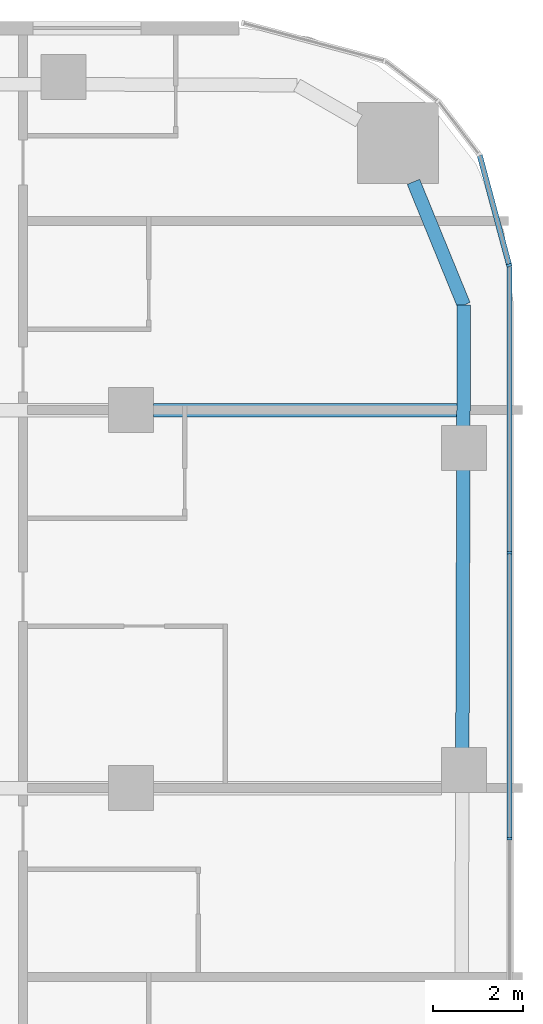
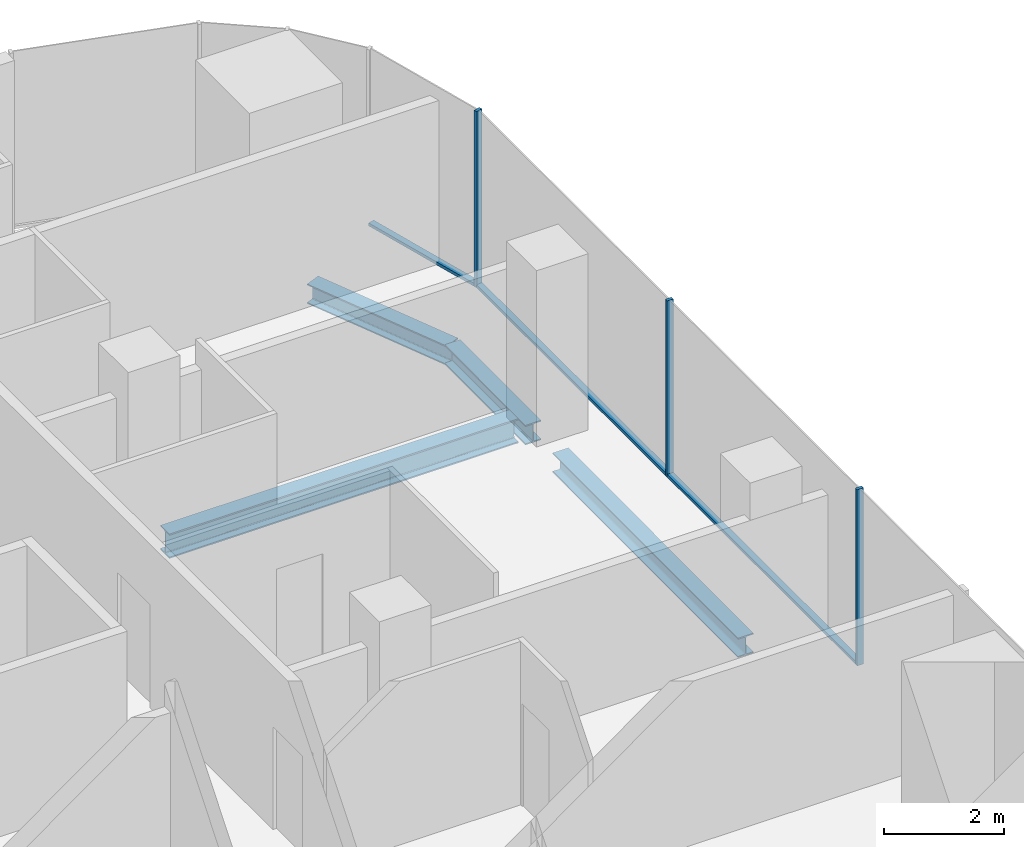
# One storey, part 12 of 26: 6 members, 4 beams, 2 elements without a shape of their own.
"""IFC4 building model written with IfcOpenShell, lengths in metres."""

from ifc_helpers import new_model, si_unit, direction, frame, origin, origin_2d, place, context, subcontext, project, spatial, rectangle, i_section, extrude, material, layer, layer_set, material_profile, profile_set, type_object, element, aggregate, save


model = new_model("IFC4")

# Units and contexts
model_context = context("Model", 3, precision=1e-05, world=origin(), true_north=direction((0.0, 1.0)))
body_context = subcontext(model_context, "Body", "Model", "MODEL_VIEW")
ifc_project = project(units=[si_unit("LENGTHUNIT", "METRE"), si_unit("AREAUNIT", "SQUARE_METRE"), si_unit("VOLUMEUNIT", "CUBIC_METRE"), si_unit("PLANEANGLEUNIT", "RADIAN"), si_unit("MASSUNIT", "GRAM", prefix="KILO")], contexts=[model_context])

# Site, building, storey
site_placement = place(None, origin())
site = spatial("IfcSite", under=ifc_project, at=site_placement, CompositionType="ELEMENT")
building_placement = place(site_placement, origin())
building = spatial("IfcBuilding", under=site, at=building_placement, Name="Marenta Gate Hotel Tower", CompositionType="ELEMENT")
storey_placement = place(building_placement, frame((0.0, 0.0, 43.699951171875)))
storey = spatial("IfcBuildingStorey", under=building, at=storey_placement, Name="L08", CompositionType="ELEMENT", Elevation=43.699951171875)

# Beams
ifc_material_1 = material(Name="Steel S355", Category="steel")
ifc_material_profile_1 = material_profile(ifc_material_1, i_section(OverallWidth=0.300048828125, OverallDepth=0.39990234375, WebThickness=0.013427734375, FlangeThickness=0.02392578125, FilletRadius=0.027099609375, at=origin_2d()), Name="HEB 400")
ifc_profile_set_1 = profile_set([ifc_material_profile_1], Name="Steel S355")
beam_type_1 = type_object("IfcBeamType", Name="Edge beam HEB 400", PredefinedType="SPANDREL", material=ifc_profile_set_1)
beam_1_placement = place(storey_placement, frame((27.280029296875, 30.2724609375, -0.4599609375), z_axis=(0.378565359962, -0.925574561144, 0.0), x_axis=(0.925574561144, 0.378565359962, 0.0)))
element("IfcBeam", 1, at=beam_1_placement, inside=storey, type_object=beam_type_1, Name="L08-EB-21", PredefinedType="SPANDREL", context=body_context, shape_type="SweptSolid", body=[
    extrude(i_section(OverallWidth=0.300048828125, OverallDepth=0.39990234375, WebThickness=0.013427734375, FlangeThickness=0.02392578125, FilletRadius=0.027099609375, at=origin_2d()), origin(), (0.0, 0.0, 1.0), 2.958251953125),
])
beam_2_placement = place(storey_placement, frame((28.39990234375, 27.534423828125, -0.4599609375), z_axis=(-0.003323434444, -0.999994477376, 0.0), x_axis=(0.999994477376, -0.003323434444, 0.0)))
element("IfcBeam", 2, at=beam_2_placement, inside=storey, type_object=beam_type_1, Name="L08-EB-22", PredefinedType="SPANDREL", context=body_context, shape_type="SweptSolid", body=[
    extrude(i_section(OverallWidth=0.300048828125, OverallDepth=0.39990234375, WebThickness=0.013427734375, FlangeThickness=0.02392578125, FilletRadius=0.027099609375, at=origin_2d()), origin(), (0.0, 0.0, 1.0), 2.718017578125),
])
beam_3_placement = place(storey_placement, frame((28.387939453125, 23.896484375, -0.4599609375), z_axis=(-0.003329137121, -0.999994458408, 0.0), x_axis=(0.999994458408, -0.003329137121, 0.0)))
element("IfcBeam", 3, at=beam_3_placement, inside=storey, type_object=beam_type_1, Name="L08-EB-23", PredefinedType="SPANDREL", context=body_context, shape_type="SweptSolid", body=[
    extrude(i_section(OverallWidth=0.300048828125, OverallDepth=0.39990234375, WebThickness=0.013427734375, FlangeThickness=0.02392578125, FilletRadius=0.027099609375, at=origin_2d()), origin(), (0.0, 0.0, 1.0), 6.2333984375),
])
ifc_material_2 = material(Name="Steel S355", Category="steel")
ifc_material_profile_2 = material_profile(ifc_material_2, i_section(OverallWidth=0.300048828125, OverallDepth=0.5, WebThickness=0.014404296875, FlangeThickness=0.028076171875, FilletRadius=0.027099609375, at=origin_2d()), Name="HEB 500")
ifc_profile_set_2 = profile_set([ifc_material_profile_2], Name="Steel S355")
beam_type_2 = type_object("IfcBeamType", Name="Girder HEB 500", PredefinedType="BEAM", material=ifc_profile_set_2)
beam_4_placement = place(storey_placement, frame((21.5, 25.199951171875, -0.510009765625), z_axis=(1.0, 0.0, 0.0), x_axis=(0.0, 1.0, 0.0)))
element("IfcBeam", 4, at=beam_4_placement, inside=storey, type_object=beam_type_2, Name="L08-GD-28", PredefinedType="BEAM", context=body_context, shape_type="SweptSolid", body=[
    extrude(i_section(OverallWidth=0.300048828125, OverallDepth=0.5, WebThickness=0.014404296875, FlangeThickness=0.028076171875, FilletRadius=0.027099609375, at=origin_2d()), origin(), (0.0, 0.0, 1.0), 6.7421875),
])

# Curtain wall, members
ifc_material_3 = material(Name="Tinted insulated glass in bronze anodised frame", Category="glass")
ifc_layer = layer(ifc_material_3, 0.1201171875)
ifc_layer_set = layer_set([ifc_layer], Name="Tinted insulated glass in bronze anodised frame")
curtain_wall_type = type_object("IfcCurtainWallType", Name="Tower unitised curtain wall CW1", PredefinedType="NOTDEFINED", material=ifc_layer_set)
curtain_wall_1_placement = place(storey_placement, origin())
curtain_wall_1 = element("IfcCurtainWall", 5, at=curtain_wall_1_placement, inside=storey, type_object=curtain_wall_type, Name="CW1 run G11", PredefinedType="NOTDEFINED")
ifc_material_4 = material(Name="Bronze anodised aluminium", Category="aluminium")
ifc_material_profile_3 = material_profile(ifc_material_4, rectangle(XDim=0.1201171875, YDim=0.06005859375, at=origin_2d()), Name="Mullion CW1 60x120 bronze anodised aluminium")
ifc_profile_set_3 = profile_set([ifc_material_profile_3], Name="Bronze anodised aluminium")
member_type_1 = type_object("IfcMemberType", Name="Mullion CW1 60x120 bronze anodised aluminium", PredefinedType="MULLION", material=ifc_profile_set_3)
member_1_placement = place(storey_placement, frame((29.4140625, 15.671875, 0.0), z_axis=(0.0, 0.0, 1.0), x_axis=(-1.0, 0.0, 0.0)))
member_1 = element("IfcMember", 6, at=member_1_placement, type_object=member_type_1, Name="CW1 mullion 5", PredefinedType="MULLION", context=body_context, shape_type="SweptSolid", body=[
    extrude(rectangle(XDim=0.1201171875, YDim=0.06005859375, at=origin_2d()), origin(), (0.0, 0.0, 1.0), 3.60009765625),
])
member_2_placement = place(storey_placement, frame((29.4140625, 22.031982421875, 0.0), z_axis=(0.0, 0.0, 1.0), x_axis=(-1.0, 0.0, 0.0)))
member_2 = element("IfcMember", 7, at=member_2_placement, type_object=member_type_1, Name="CW1 mullion 6", PredefinedType="MULLION", context=body_context, shape_type="SweptSolid", body=[
    extrude(rectangle(XDim=0.1201171875, YDim=0.06005859375, at=origin_2d()), origin(), (0.0, 0.0, 1.0), 3.60009765625),
])

# Curtain wall, member
curtain_wall_2_placement = place(storey_placement, origin())
curtain_wall_2 = element("IfcCurtainWall", 8, at=curtain_wall_2_placement, inside=storey, type_object=curtain_wall_type, Name="CW1 run G12", PredefinedType="NOTDEFINED")
member_3_placement = place(storey_placement, frame((29.40625, 28.4208984375, 0.0), z_axis=(0.0, 0.0, 1.0), x_axis=(-0.965925039579, -0.258821981125, 0.0)))
member_3 = element("IfcMember", 9, at=member_3_placement, type_object=member_type_1, Name="CW1 mullion 1", PredefinedType="MULLION", context=body_context, shape_type="SweptSolid", body=[
    extrude(rectangle(XDim=0.1201171875, YDim=0.06005859375, at=origin_2d()), origin(), (0.0, 0.0, 1.0), 3.60009765625),
])

# Member
ifc_material_5 = material(Name="Bronze anodised aluminium", Category="aluminium")
ifc_material_profile_4 = material_profile(ifc_material_5, rectangle(XDim=0.1201171875, YDim=0.06005859375, at=origin_2d()), Name="Transom CW1 60x120 bronze anodised aluminium")
ifc_profile_set_4 = profile_set([ifc_material_profile_4], Name="Bronze anodised aluminium")
member_type_2 = type_object("IfcMemberType", Name="Transom CW1 60x120 bronze anodised aluminium", PredefinedType="USERDEFINED", material=ifc_profile_set_4)
member_4_placement = place(storey_placement, frame((29.4140625, 15.701904296875, 0.030029296875), z_axis=(0.0, 1.0, 0.0), x_axis=(-1.0, 0.0, 0.0)))
member_4 = element("IfcMember", 10, at=member_4_placement, type_object=member_type_2, Name="CW1 transom 5.1", ObjectType="TRANSOM", PredefinedType="USERDEFINED", context=body_context, shape_type="SweptSolid", body=[
    extrude(rectangle(XDim=0.1201171875, YDim=0.06005859375, at=origin_2d()), origin(), (0.0, 0.0, 1.0), 6.300048828125),
])

member_5_placement = place(storey_placement, frame((29.4140625, 22.06201171875, 0.030029296875), z_axis=(0.0, 1.0, 0.0), x_axis=(-1.0, 0.0, 0.0)))
member_5 = element("IfcMember", 11, at=member_5_placement, type_object=member_type_2, Name="CW1 transom 6.1", ObjectType="TRANSOM", PredefinedType="USERDEFINED", context=body_context, shape_type="SweptSolid", body=[
    extrude(rectangle(XDim=0.1201171875, YDim=0.06005859375, at=origin_2d()), origin(), (0.0, 0.0, 1.0), 6.329833984375),
])

aggregate(curtain_wall_1, [member_1, member_2, member_4, member_5])

member_6_placement = place(storey_placement, frame((29.3984375, 28.449951171875, 0.030029296875), z_axis=(-0.258859731326, 0.96591492353, 0.0), x_axis=(-0.96591492353, -0.258859731326, 0.0)))
member_6 = element("IfcMember", 12, at=member_6_placement, type_object=member_type_2, Name="CW1 transom 1.1", ObjectType="TRANSOM", PredefinedType="USERDEFINED", context=body_context, shape_type="SweptSolid", body=[
    extrude(rectangle(XDim=0.1201171875, YDim=0.06005859375, at=origin_2d()), origin(), (0.0, 0.0, 1.0), 2.500244140625),
])

aggregate(curtain_wall_2, [member_3, member_6])

save(model, "model.ifc")
